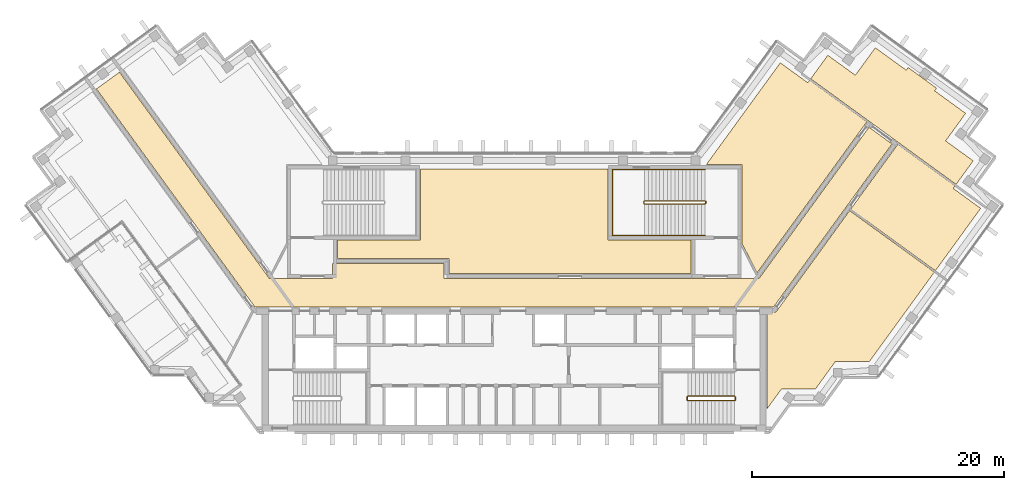
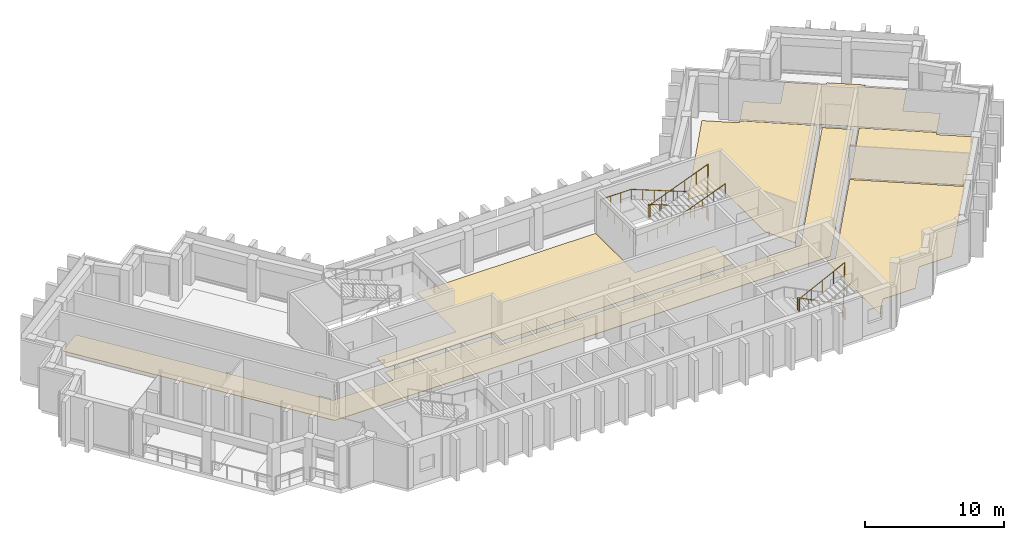
# One storey, part 10 of 10: 6 coverings, 3 railings.
"""IFC4 building model written with IfcOpenShell, lengths in metres."""

from ifc_helpers import new_model, si_unit, direction, frame, origin, origin_2d, place, context, subcontext, project, spatial, polyline, circle, outline, extrude, material, layer, layer_set, type_object, element, save


model = new_model("IFC4")

# Units and contexts
model_context = context("Model", 3, precision=1e-05, world=origin(), true_north=direction((0.0, 1.0)))
body_context = subcontext(model_context, "Body", "Model", "MODEL_VIEW")
ifc_project = project(units=[si_unit("LENGTHUNIT", "METRE"), si_unit("AREAUNIT", "SQUARE_METRE"), si_unit("VOLUMEUNIT", "CUBIC_METRE"), si_unit("PLANEANGLEUNIT", "RADIAN"), si_unit("MASSUNIT", "GRAM", prefix="KILO")], contexts=[model_context])

# Site, building, storey
site_placement = place(None, origin())
site = spatial("IfcSite", under=ifc_project, at=site_placement, CompositionType="ELEMENT")
building_placement = place(site_placement, origin())
building = spatial("IfcBuilding", under=site, at=building_placement, Name="Quipu Civic Tower", CompositionType="ELEMENT")
storey_placement = place(building_placement, frame((0.0, 0.0, 265.0)))
storey = spatial("IfcBuildingStorey", under=building, at=storey_placement, Name="L62", CompositionType="ELEMENT", Elevation=265.0)

# Coverings
ifc_material_1 = material(Name="Carpet tile on raised access floor")
ifc_layer_1 = layer(ifc_material_1, 0.02001953125)
ifc_layer_set_1 = layer_set([ifc_layer_1], Name="Carpet tile on raised access floor")
covering_type_1 = type_object("IfcCoveringType", Name="Carpet tile floor finish 20", PredefinedType="FLOORING", material=ifc_layer_set_1)
covering_1_placement = place(storey_placement, origin())
element("IfcCovering", 1, at=covering_1_placement, inside=storey, type_object=covering_type_1, Name="Carpet tile floor finish 20", PredefinedType="FLOORING", context=body_context, shape_type="SweptSolid", body=[
    extrude(outline(polyline([(15.238037109375, 10.169921875), (21.115966796875, 18.260986328125), (23.299072265625, 16.676025390625), (23.447998046875, 16.876953125), (27.987060546875, 13.5791015625), (19.27197265625, 1.583984375), (18.070068359375, 3.94189453125), (18.070068359375, 10.1689453125), (15.238037109375, 10.169921875)])), origin(), (0.0, 0.0, 1.0), 0.02001953125),
])
covering_2_placement = place(storey_placement, origin())
element("IfcCovering", 2, at=covering_2_placement, inside=storey, type_object=covering_type_1, Name="Carpet tile floor finish 20", PredefinedType="FLOORING", context=body_context, shape_type="SweptSolid", body=[
    extrude(outline(polyline([(23.531005859375, 16.989013671875), (24.888916015625, 18.85791015625), (27.073974609375, 17.27197265625), (28.658935546875, 19.455078125), (31.116943359375, 17.6708984375), (31.27099609375, 17.8798828125), (33.52197265625, 16.2451171875), (33.3701171875, 16.032958984375), (35.826904296875, 14.248046875), (34.240966796875, 12.06396484375), (36.425048828125, 10.47705078125), (35.068115234375, 8.60791015625), (23.531005859375, 16.989013671875)])), origin(), (0.0, 0.0, 1.0), 0.02001953125),
])
covering_3_placement = place(storey_placement, origin())
element("IfcCovering", 3, at=covering_3_placement, inside=storey, type_object=covering_type_1, Name="Carpet tile floor finish 20", PredefinedType="FLOORING", context=body_context, shape_type="SweptSolid", body=[
    extrude(outline(polyline([(-14.030029296875, 2.719970703125), (-14.030029296875, 4.179931640625), (-7.430908203125, 4.180908203125), (-7.429931640625, 9.830078125), (7.429931640625, 9.830078125), (7.430908203125, 4.179931640625), (14.030029296875, 4.179931640625), (14.030029296875, 1.52001953125), (-5.179931640625, 1.52001953125), (-5.181884765625, 2.719970703125), (-14.030029296875, 2.719970703125)])), origin(), (0.0, 0.0, 1.0), 0.02001953125),
])
ifc_material_2 = material(Name="Ceramic floor tile")
ifc_layer_2 = layer(ifc_material_2, 0.030029296875)
ifc_layer_set_2 = layer_set([ifc_layer_2], Name="Ceramic floor tile")
covering_type_2 = type_object("IfcCoveringType", Name="Ceramic tile floor finish 30", PredefinedType="FLOORING", material=ifc_layer_set_2)
covering_4_placement = place(storey_placement, origin())
element("IfcCovering", 4, at=covering_4_placement, inside=storey, type_object=covering_type_2, Name="Ceramic tile floor finish 30", PredefinedType="FLOORING", context=body_context, shape_type="SweptSolid", body=[
    extrude(outline(polyline([(26.705078125, 6.64208984375), (30.446044921875, 11.7919921875), (34.985107421875, 8.493896484375), (34.839111328125, 8.291015625), (37.02197265625, 6.7060546875), (33.427978515625, 1.758056640625), (26.705078125, 6.64208984375)])), origin(), (0.0, 0.0, 1.0), 0.030029296875),
])
covering_5_placement = place(storey_placement, origin())
element("IfcCovering", 5, at=covering_5_placement, inside=storey, type_object=covering_type_2, Name="Ceramic tile floor finish 30", PredefinedType="FLOORING", context=body_context, shape_type="SweptSolid", body=[
    extrude(outline(polyline([(20.070068359375, -9.195068359375), (20.070068359375, -1.52001953125), (20.77490234375, -1.51904296875), (26.6220703125, 6.529052734375), (33.344970703125, 1.64501953125), (28.181884765625, -5.4609375), (25.48193359375, -5.4619140625), (23.89501953125, -7.64599609375), (21.196044921875, -7.64599609375), (20.070068359375, -9.195068359375)])), origin(), (0.0, 0.0, 1.0), 0.030029296875),
])

# Railings
ifc_material_3 = material(Name="Stainless steel", Category="steel")
railing_type_1 = type_object("IfcRailingType", Name="Stair guard 1100", PredefinedType="GUARDRAIL", material=ifc_material_3)
railing_1_placement = place(storey_placement, frame((17.5, -8.199951171875, 0.15380859375)))
element("IfcRailing", 6, at=railing_1_placement, inside=storey, type_object=railing_type_1, Name="Stair 2 guard", PredefinedType="GUARDRAIL", context=body_context, shape_type="SweptSolid", body=[
    extrude(circle(Radius=0.02392578125, at=origin_2d()), frame((0.0, 0.0, 1.076171875), z_axis=(-0.895751851347, 0.0, 0.444554407028), x_axis=(0.0, -1.0, 0.0)), (0.0, 0.0, 1.0), 4.15283203125),
    extrude(circle(Radius=0.02392578125, at=origin_2d()), frame((-3.719970703125, 0.0, 2.92236328125), z_axis=(-0.707106781187, -0.707106781187, 0.0), x_axis=(0.707106781187, -0.707106781187, 0.0)), (0.0, 0.0, 1.0), 0.07080078125),
    extrude(circle(Radius=0.02392578125, at=origin_2d()), frame((-3.77001953125, -0.050048828125, 2.92236328125), z_axis=(0.0, -1.0, 0.0), x_axis=(1.0, 0.0, 0.0)), (0.0, 0.0, 1.0), 0.25),
    extrude(circle(Radius=0.02392578125, at=origin_2d()), frame((-3.77001953125, -0.300048828125, 2.92236328125), z_axis=(0.295599637079, -0.295599637079, 0.908428152975), x_axis=(0.707106781187, 0.707106781187, 0.0)), (0.0, 0.0, 1.0), 0.16943359375),
    extrude(circle(Radius=0.02392578125, at=origin_2d()), frame((-3.719970703125, -0.35009765625, 3.076171875), z_axis=(0.895751851347, 0.0, 0.444554407028), x_axis=(0.0, 1.0, 0.0)), (0.0, 0.0, 1.0), 4.15283203125),
    extrude(circle(Radius=0.02392578125, at=origin_2d()), frame((0.0, -0.35009765625, 4.92236328125), z_axis=(0.012476181752, 0.074796231092, -0.997120789425), x_axis=(-0.986372223864, 0.164529134168, 0.0)), (0.0, 0.0, 1.0), 4.011474609375),
    extrude(circle(Radius=0.02392578125, at=origin_2d()), frame((0.050048828125, -0.050048828125, 0.92236328125), z_axis=(0.0, -1.0, 0.0), x_axis=(1.0, 0.0, 0.0)), (0.0, 0.0, 1.0), 0.25),
    extrude(circle(Radius=0.02099609375, at=origin_2d()), origin(), (0.0, 0.0, 1.0), 1.052001953125),
    extrude(circle(Radius=0.02099609375, at=origin_2d()), frame((-0.929931640625, 0.0, 0.46142578125)), (0.0, 0.0, 1.0), 1.052001953125),
    extrude(circle(Radius=0.02099609375, at=origin_2d()), frame((-1.85986328125, 0.0, 0.923095703125)), (0.0, 0.0, 1.0), 1.052001953125),
    extrude(circle(Radius=0.02099609375, at=origin_2d()), frame((-2.7900390625, 0.0, 1.384765625)), (0.0, 0.0, 1.0), 1.052001953125),
    extrude(circle(Radius=0.02099609375, at=origin_2d()), frame((-3.719970703125, 0.0, 1.84619140625)), (0.0, 0.0, 1.0), 1.052001953125),
    extrude(circle(Radius=0.02099609375, at=origin_2d()), frame((-3.77001953125, -0.050048828125, 1.84619140625)), (0.0, 0.0, 1.0), 1.052001953125),
    extrude(circle(Radius=0.02099609375, at=origin_2d()), frame((-3.77001953125, -0.300048828125, 1.84619140625)), (0.0, 0.0, 1.0), 1.052001953125),
    extrude(circle(Radius=0.02099609375, at=origin_2d()), frame((-3.719970703125, -0.35009765625, 2.0)), (0.0, 0.0, 1.0), 1.052001953125),
    extrude(circle(Radius=0.02099609375, at=origin_2d()), frame((-2.7900390625, -0.35009765625, 2.46142578125)), (0.0, 0.0, 1.0), 1.052001953125),
    extrude(circle(Radius=0.02099609375, at=origin_2d()), frame((-1.85986328125, -0.35009765625, 2.923095703125)), (0.0, 0.0, 1.0), 1.052001953125),
    extrude(circle(Radius=0.02099609375, at=origin_2d()), frame((-0.929931640625, -0.35009765625, 3.384765625)), (0.0, 0.0, 1.0), 1.052001953125),
    extrude(circle(Radius=0.02099609375, at=origin_2d()), frame((0.0, -0.35009765625, 3.84619140625)), (0.0, 0.0, 1.0), 1.052001953125),
    extrude(circle(Radius=0.02099609375, at=origin_2d()), frame((0.012451171875, -0.275146484375, 2.84619140625)), (0.0, 0.0, 1.0), 1.052001953125),
    extrude(circle(Radius=0.02099609375, at=origin_2d()), frame((0.02490234375, -0.2001953125, 1.84619140625)), (0.0, 0.0, 1.0), 1.052001953125),
    extrude(circle(Radius=0.02099609375, at=origin_2d()), frame((0.03759765625, -0.125, 0.84619140625)), (0.0, 0.0, 1.0), 1.052001953125),
    extrude(circle(Radius=0.02099609375, at=origin_2d()), frame((0.050048828125, -0.050048828125, -0.15380859375)), (0.0, 0.0, 1.0), 1.052001953125),
    extrude(circle(Radius=0.02099609375, at=origin_2d()), frame((0.050048828125, -0.300048828125, -0.15380859375)), (0.0, 0.0, 1.0), 1.052001953125),
])
railing_2_placement = place(storey_placement, frame((15.14990234375, 7.300048828125, 0.11767578125)))
element("IfcRailing", 7, at=railing_2_placement, inside=storey, type_object=railing_type_1, Name="Stair 4 guard", PredefinedType="GUARDRAIL", context=body_context, shape_type="SweptSolid", body=[
    extrude(circle(Radius=0.02392578125, at=origin_2d()), frame((0.0, 0.0, 1.076171875), z_axis=(-0.930970042603, 0.0, 0.365095576219), x_axis=(0.0, -1.0, 0.0)), (0.0, 0.0, 1.0), 5.15576171875),
    extrude(circle(Radius=0.02392578125, at=origin_2d()), frame((-4.7998046875, 0.0, 2.95849609375), z_axis=(-0.707106781187, -0.707106781187, 0.0), x_axis=(0.707106781187, -0.707106781187, 0.0)), (0.0, 0.0, 1.0), 0.07080078125),
    extrude(circle(Radius=0.02392578125, at=origin_2d()), frame((-4.849853515625, -0.050048828125, 2.95849609375), z_axis=(0.0, -1.0, 0.0), x_axis=(1.0, 0.0, 0.0)), (0.0, 0.0, 1.0), 0.14990234375),
    extrude(circle(Radius=0.02392578125, at=origin_2d()), frame((-4.849853515625, -0.199951171875, 2.95849609375), z_axis=(0.364463019033, -0.364463019033, 0.856932561824), x_axis=(0.707106781187, 0.707106781187, 0.0)), (0.0, 0.0, 1.0), 0.13720703125),
    extrude(circle(Radius=0.02392578125, at=origin_2d()), frame((-4.7998046875, -0.25, 3.076171875), z_axis=(0.930970042603, 0.0, 0.365095576219), x_axis=(0.0, 1.0, 0.0)), (0.0, 0.0, 1.0), 5.15576171875),
    extrude(circle(Radius=0.02392578125, at=origin_2d()), frame((0.0, -0.25, 4.95849609375), z_axis=(0.012495627992, 0.049921557685, -0.998674970829), x_axis=(-0.970072785993, 0.242814311512, 0.0)), (0.0, 0.0, 1.0), 4.00537109375),
    extrude(circle(Radius=0.02392578125, at=origin_2d()), frame((0.050048828125, -0.050048828125, 0.95849609375), z_axis=(0.0, -1.0, 0.0), x_axis=(1.0, 0.0, 0.0)), (0.0, 0.0, 1.0), 0.14990234375),
    extrude(circle(Radius=0.02099609375, at=origin_2d()), origin(), (0.0, 0.0, 1.0), 1.052001953125),
    extrude(circle(Radius=0.02099609375, at=origin_2d()), frame((-0.9599609375, 0.0, 0.37646484375)), (0.0, 0.0, 1.0), 1.052001953125),
    extrude(circle(Radius=0.02099609375, at=origin_2d()), frame((-1.919921875, 0.0, 0.7529296875)), (0.0, 0.0, 1.0), 1.052001953125),
    extrude(circle(Radius=0.02099609375, at=origin_2d()), frame((-2.8798828125, 0.0, 1.12939453125)), (0.0, 0.0, 1.0), 1.052001953125),
    extrude(circle(Radius=0.02099609375, at=origin_2d()), frame((-3.83984375, 0.0, 1.505859375)), (0.0, 0.0, 1.0), 1.052001953125),
    extrude(circle(Radius=0.02099609375, at=origin_2d()), frame((-4.7998046875, 0.0, 1.88232421875)), (0.0, 0.0, 1.0), 1.052001953125),
    extrude(circle(Radius=0.02099609375, at=origin_2d()), frame((-4.849853515625, -0.050048828125, 1.88232421875)), (0.0, 0.0, 1.0), 1.052001953125),
    extrude(circle(Radius=0.02099609375, at=origin_2d()), frame((-4.849853515625, -0.199951171875, 1.88232421875)), (0.0, 0.0, 1.0), 1.052001953125),
    extrude(circle(Radius=0.02099609375, at=origin_2d()), frame((-4.7998046875, -0.25, 2.0)), (0.0, 0.0, 1.0), 1.052001953125),
    extrude(circle(Radius=0.02099609375, at=origin_2d()), frame((-3.83984375, -0.25, 2.37646484375)), (0.0, 0.0, 1.0), 1.052001953125),
    extrude(circle(Radius=0.02099609375, at=origin_2d()), frame((-2.8798828125, -0.25, 2.7529296875)), (0.0, 0.0, 1.0), 1.052001953125),
    extrude(circle(Radius=0.02099609375, at=origin_2d()), frame((-1.919921875, -0.25, 3.12939453125)), (0.0, 0.0, 1.0), 1.052001953125),
    extrude(circle(Radius=0.02099609375, at=origin_2d()), frame((-0.9599609375, -0.25, 3.505859375)), (0.0, 0.0, 1.0), 1.052001953125),
    extrude(circle(Radius=0.02099609375, at=origin_2d()), frame((0.0, -0.25, 3.88232421875)), (0.0, 0.0, 1.0), 1.052001953125),
    extrude(circle(Radius=0.02099609375, at=origin_2d()), frame((0.012451171875, -0.199951171875, 2.88232421875)), (0.0, 0.0, 1.0), 1.052001953125),
    extrude(circle(Radius=0.02099609375, at=origin_2d()), frame((0.02490234375, -0.14990234375, 1.88232421875)), (0.0, 0.0, 1.0), 1.052001953125),
    extrude(circle(Radius=0.02099609375, at=origin_2d()), frame((0.03759765625, -0.10009765625, 0.88232421875)), (0.0, 0.0, 1.0), 1.052001953125),
    extrude(circle(Radius=0.02099609375, at=origin_2d()), frame((0.050048828125, -0.050048828125, -0.11767578125)), (0.0, 0.0, 1.0), 1.052001953125),
    extrude(circle(Radius=0.02099609375, at=origin_2d()), frame((0.050048828125, -0.199951171875, -0.11767578125)), (0.0, 0.0, 1.0), 1.052001953125),
])
ifc_material_4 = material(Name="Stainless steel", Category="steel")
railing_type_2 = type_object("IfcRailingType", Name="Stair handrail", PredefinedType="HANDRAIL", material=ifc_material_4)
railing_3_placement = place(storey_placement, frame((15.14990234375, 9.800048828125, 0.11767578125)))
element("IfcRailing", 8, at=railing_3_placement, inside=storey, type_object=railing_type_2, Name="Stair 4 handrail", PredefinedType="HANDRAIL", context=body_context, shape_type="SweptSolid", body=[
    extrude(circle(Radius=0.02392578125, at=origin_2d()), frame((0.0, 0.0, 0.8759765625), z_axis=(-0.930970042603, 0.0, 0.365095576219), x_axis=(0.0, -1.0, 0.0)), (0.0, 0.0, 1.0), 5.15576171875),
    extrude(circle(Radius=0.02392578125, at=origin_2d()), frame((-4.7998046875, 0.0, 2.75830078125), z_axis=(-1.0, 0.0, 0.0), x_axis=(0.0, -1.0, 0.0)), (0.0, 0.0, 1.0), 2.550048828125),
    extrude(circle(Radius=0.02392578125, at=origin_2d()), frame((-7.349853515625, 0.0, 2.75830078125), z_axis=(0.0, -1.0, 0.0), x_axis=(1.0, 0.0, 0.0)), (0.0, 0.0, 1.0), 5.25),
    extrude(circle(Radius=0.02392578125, at=origin_2d()), frame((-7.349853515625, -5.25, 2.75830078125), z_axis=(0.998936948642, 0.0, 0.04609742549), x_axis=(0.0, 1.0, 0.0)), (0.0, 0.0, 1.0), 2.552734375),
    extrude(circle(Radius=0.02392578125, at=origin_2d()), frame((-4.7998046875, -5.25, 2.8759765625), z_axis=(0.930970042603, 0.0, 0.365095576219), x_axis=(0.0, 1.0, 0.0)), (0.0, 0.0, 1.0), 5.15576171875),
    extrude(circle(Radius=0.02099609375, at=origin_2d()), origin(), (0.0, 0.0, 1.0), 0.851806640625),
    extrude(circle(Radius=0.02099609375, at=origin_2d()), frame((-0.9599609375, 0.0, 0.37646484375)), (0.0, 0.0, 1.0), 0.851806640625),
    extrude(circle(Radius=0.02099609375, at=origin_2d()), frame((-1.919921875, 0.0, 0.7529296875)), (0.0, 0.0, 1.0), 0.851806640625),
    extrude(circle(Radius=0.02099609375, at=origin_2d()), frame((-2.8798828125, 0.0, 1.12939453125)), (0.0, 0.0, 1.0), 0.851806640625),
    extrude(circle(Radius=0.02099609375, at=origin_2d()), frame((-3.83984375, 0.0, 1.505859375)), (0.0, 0.0, 1.0), 0.851806640625),
    extrude(circle(Radius=0.02099609375, at=origin_2d()), frame((-4.7998046875, 0.0, 1.88232421875)), (0.0, 0.0, 1.0), 0.851806640625),
    extrude(circle(Radius=0.02099609375, at=origin_2d()), frame((-5.64990234375, 0.0, 1.88232421875)), (0.0, 0.0, 1.0), 0.851806640625),
    extrude(circle(Radius=0.02099609375, at=origin_2d()), frame((-6.499755859375, 0.0, 1.88232421875)), (0.0, 0.0, 1.0), 0.851806640625),
    extrude(circle(Radius=0.02099609375, at=origin_2d()), frame((-7.349853515625, 0.0, 1.88232421875)), (0.0, 0.0, 1.0), 0.851806640625),
    extrude(circle(Radius=0.02099609375, at=origin_2d()), frame((-7.349853515625, -1.050048828125, 1.88232421875)), (0.0, 0.0, 1.0), 0.851806640625),
    extrude(circle(Radius=0.02099609375, at=origin_2d()), frame((-7.349853515625, -2.10009765625, 1.88232421875)), (0.0, 0.0, 1.0), 0.851806640625),
    extrude(circle(Radius=0.02099609375, at=origin_2d()), frame((-7.349853515625, -3.14990234375, 1.88232421875)), (0.0, 0.0, 1.0), 0.851806640625),
    extrude(circle(Radius=0.02099609375, at=origin_2d()), frame((-7.349853515625, -4.199951171875, 1.88232421875)), (0.0, 0.0, 1.0), 0.851806640625),
    extrude(circle(Radius=0.02099609375, at=origin_2d()), frame((-7.349853515625, -5.25, 1.88232421875)), (0.0, 0.0, 1.0), 0.851806640625),
    extrude(circle(Radius=0.02099609375, at=origin_2d()), frame((-6.499755859375, -5.25, 1.921630859375)), (0.0, 0.0, 1.0), 0.851806640625),
    extrude(circle(Radius=0.02099609375, at=origin_2d()), frame((-5.64990234375, -5.25, 1.960693359375)), (0.0, 0.0, 1.0), 0.851806640625),
    extrude(circle(Radius=0.02099609375, at=origin_2d()), frame((-4.7998046875, -5.25, 2.0)), (0.0, 0.0, 1.0), 0.851806640625),
    extrude(circle(Radius=0.02099609375, at=origin_2d()), frame((-3.83984375, -5.25, 2.37646484375)), (0.0, 0.0, 1.0), 0.851806640625),
    extrude(circle(Radius=0.02099609375, at=origin_2d()), frame((-2.8798828125, -5.25, 2.7529296875)), (0.0, 0.0, 1.0), 0.851806640625),
    extrude(circle(Radius=0.02099609375, at=origin_2d()), frame((-1.919921875, -5.25, 3.12939453125)), (0.0, 0.0, 1.0), 0.851806640625),
    extrude(circle(Radius=0.02099609375, at=origin_2d()), frame((-0.9599609375, -5.25, 3.505859375)), (0.0, 0.0, 1.0), 0.851806640625),
    extrude(circle(Radius=0.02099609375, at=origin_2d()), frame((0.0, -5.25, 3.88232421875)), (0.0, 0.0, 1.0), 0.851806640625),
])

# Covering
ifc_material_5 = material(Name="Terrazzo floor finish")
ifc_layer_3 = layer(ifc_material_5, 0.0400390625)
ifc_layer_set_3 = layer_set([ifc_layer_3], Name="Terrazzo floor finish")
covering_type_3 = type_object("IfcCoveringType", Name="Terrazzo floor finish 40", PredefinedType="FLOORING", material=ifc_layer_set_3)
covering_6_placement = place(storey_placement, origin())
element("IfcCovering", 9, at=covering_6_placement, inside=storey, type_object=covering_type_3, Name="Terrazzo floor finish 40", PredefinedType="FLOORING", context=body_context, shape_type="SweptSolid", body=[
    extrude(outline(polyline([(-5.570068359375, 1.1298828125), (19.425048828125, 1.1298828125), (28.155029296875, 13.14697265625), (29.98291015625, 11.819091796875), (20.574951171875, -1.1298828125), (-20.574951171875, -1.1298828125), (-33.157958984375, 16.18798828125), (-31.3291015625, 17.51611328125), (-19.425048828125, 1.1298828125), (-14.429931640625, 1.1298828125), (-14.429931640625, 2.330078125), (-5.570068359375, 2.330078125), (-5.570068359375, 1.1298828125)])), origin(), (0.0, 0.0, 1.0), 0.0400390625),
])

save(model, "model.ifc")
